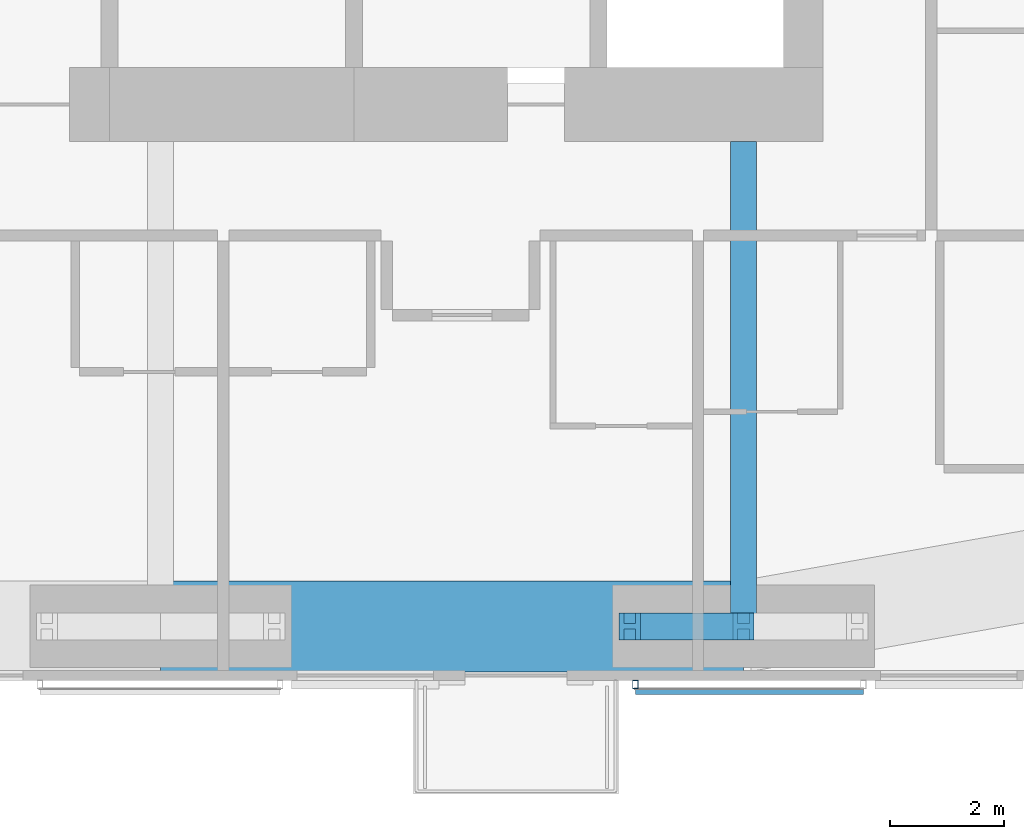
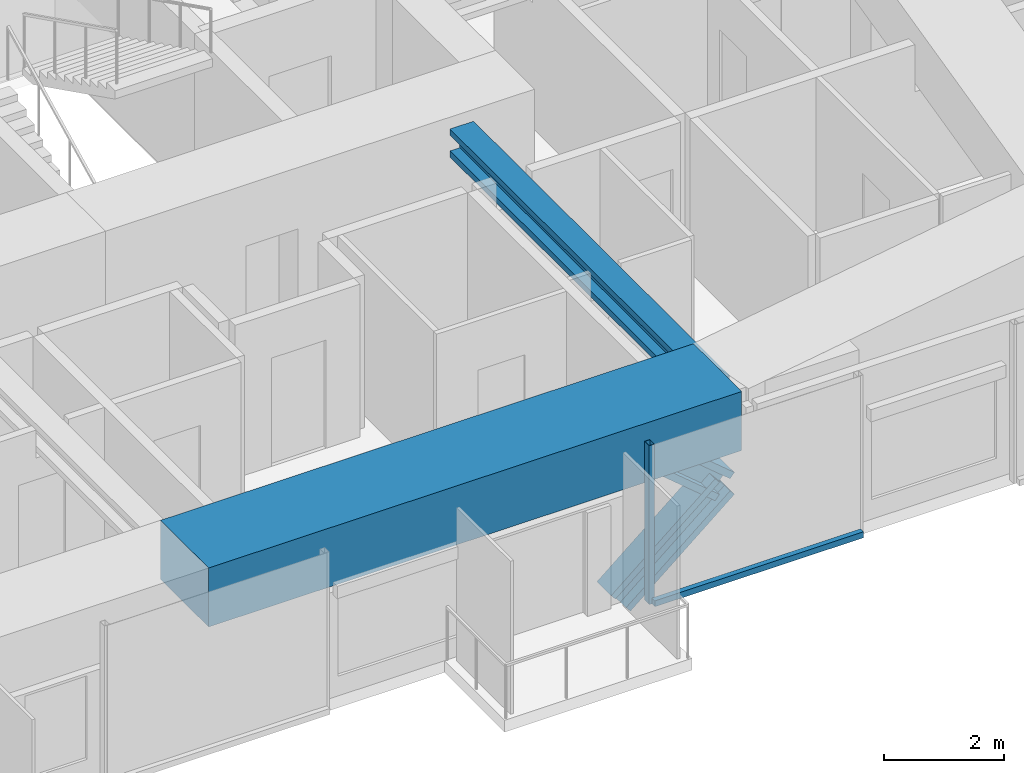
# One storey, part 4 of 23: 4 members, 2 beams, 1 element without a shape of its own.
"""IFC4 building model written with IfcOpenShell, lengths in metres."""

from ifc_helpers import new_model, si_unit, direction, frame, origin, origin_2d, place, context, subcontext, project, spatial, rectangle, hollow_rectangle, i_section, extrude, material, material_profile, profile_set, type_object, element, aggregate, save


model = new_model("IFC4")

# Units and contexts
model_context = context("Model", 3, precision=1e-05, world=origin(), true_north=direction((0.0, 1.0)))
body_context = subcontext(model_context, "Body", "Model", "MODEL_VIEW")
ifc_project = project(units=[si_unit("LENGTHUNIT", "METRE"), si_unit("AREAUNIT", "SQUARE_METRE"), si_unit("VOLUMEUNIT", "CUBIC_METRE"), si_unit("PLANEANGLEUNIT", "RADIAN"), si_unit("MASSUNIT", "GRAM", prefix="KILO")], contexts=[model_context])

# Site, building, storey
site_placement = place(None, origin())
site = spatial("IfcSite", under=ifc_project, at=site_placement, CompositionType="ELEMENT")
building_placement = place(site_placement, origin())
building = spatial("IfcBuilding", under=site, at=building_placement, Name="Jalousie Tower", CompositionType="ELEMENT")
storey_placement = place(building_placement, frame((0.0, 0.0, 171.10009765625)))
storey = spatial("IfcBuildingStorey", under=building, at=storey_placement, Name="L46", CompositionType="ELEMENT", Elevation=171.10009765625)

# Beam
ifc_material_1 = material(Name="Steel ASTM A992 Grade 50", Category="steel")
ifc_material_profile_1 = material_profile(ifc_material_1, i_section(OverallWidth=0.45458984375, OverallDepth=0.569091796875, WebThickness=0.077880859375, FlangeThickness=0.124755859375, at=origin_2d()), Name="W14X730")
ifc_profile_set_1 = profile_set([ifc_material_profile_1], Name="Steel ASTM A992 Grade 50")
beam_type_1 = type_object("IfcBeamType", Name="LEAN COLLECTOR W14X730", PredefinedType="BEAM", material=ifc_profile_set_1)
beam_1_placement = place(storey_placement, frame((42.75, 0.949951171875, 2.825439453125), z_axis=(0.0, 1.0, 0.0), x_axis=(-1.0, 0.0, 0.0)))
element("IfcBeam", 1, at=beam_1_placement, inside=storey, type_object=beam_type_1, Name="Lean collector under L47", PredefinedType="BEAM", context=body_context, shape_type="SweptSolid", body=[
    extrude(i_section(OverallWidth=0.45458984375, OverallDepth=0.569091796875, WebThickness=0.077880859375, FlangeThickness=0.124755859375, at=origin_2d()), origin(), (0.0, 0.0, 1.0), 8.525146484375),
])

# Members
ifc_material_2 = material(Name="Steel ASTM A992 Grade 50", Category="steel")
ifc_material_profile_2 = material_profile(ifc_material_2, i_section(OverallWidth=0.472412109375, OverallDepth=0.5791015625, WebThickness=0.094970703125, FlangeThickness=0.1298828125, at=origin_2d()), Name="W14X808")
ifc_profile_set_2 = profile_set([ifc_material_profile_2], Name="Steel ASTM A992 Grade 50")
member_type_1 = type_object("IfcMemberType", Name="PERIMETER BRACE W14X808", PredefinedType="BRACE", material=ifc_profile_set_2)
for number, where, z_axis, x_axis, name in (
    (2, (40.75, 0.949951171875, -0.60009765625), (0.766638753323, 0.0, 0.642078672674), (0.0, 1.0, 0.0), "Perimeter brace 04 L46 part 1"),
    (3, (42.75, 0.949951171875, 1.074951171875), (-0.766638753323, 0.0, 0.642078672674), (0.0, -1.0, 0.0), "Perimeter brace 04 L46 part 4"),
):
    element("IfcMember", number, at=place(storey_placement, frame(where, z_axis=z_axis, x_axis=x_axis)), inside=storey, type_object=member_type_1, Name=name, PredefinedType="BRACE", context=body_context, shape_type="SweptSolid", body=[
        extrude(i_section(OverallWidth=0.472412109375, OverallDepth=0.5791015625, WebThickness=0.094970703125, FlangeThickness=0.1298828125, at=origin_2d()), origin(), (0.0, 0.0, 1.0), 2.60888671875),
    ])

# Beam
ifc_material_3 = material(Name="Concrete f'c 40 MPa", Category="concrete")
ifc_material_profile_3 = material_profile(ifc_material_3, rectangle(XDim=1.60009765625, YDim=1.199951171875, at=origin_2d()), Name="RC 1600x1200")
ifc_profile_set_3 = profile_set([ifc_material_profile_3], Name="Concrete f'c 40 MPa")
beam_type_2 = type_object("IfcBeamType", Name="RC BEAM 1600x1200", PredefinedType="BEAM", material=ifc_profile_set_3)
beam_2_placement = place(storey_placement, frame((32.5, 0.949951171875, 2.75), z_axis=(1.0, 0.0, 0.0), x_axis=(0.0, 1.0, 0.0)))
element("IfcBeam", 4, at=beam_2_placement, inside=storey, type_object=beam_type_2, Name="Edge band beam 03-04 under L47", PredefinedType="BEAM", context=body_context, shape_type="SweptSolid", body=[
    extrude(rectangle(XDim=1.60009765625, YDim=1.199951171875, at=origin_2d()), origin(), (0.0, 0.0, 1.0), 10.25),
])

# Curtain wall, members
ifc_material_4 = material(Name="Perforated aluminium sheet", Category="aluminium")
curtain_wall_type = type_object("IfcCurtainWallType", Name="SOLAR SCREEN SS-1", PredefinedType="USERDEFINED", material=ifc_material_4)
curtain_wall_placement = place(storey_placement, origin())
curtain_wall = element("IfcCurtainWall", 5, at=curtain_wall_placement, inside=storey, type_object=curtain_wall_type, Name="Solar screen L46", ObjectType="SOLAR SCREEN SS-1", PredefinedType="USERDEFINED")
ifc_material_5 = material(Name="Steel ASTM A500 Grade C", Category="steel")
ifc_material_profile_4 = material_profile(ifc_material_5, hollow_rectangle(XDim=0.1015625, YDim=0.15234375, WallThickness=0.00634765625, at=origin_2d()), Name="HSS6X4X1/4")
ifc_profile_set_4 = profile_set([ifc_material_profile_4], Name="Steel ASTM A500 Grade C")
member_type_2 = type_object("IfcMemberType", Name="SOLAR SCREEN SS-1 MULLION", PredefinedType="MULLION", material=ifc_profile_set_4)
member_1_placement = place(storey_placement, frame((40.85009765625, -0.0712890625, -0.1201171875), z_axis=(0.0, 0.0, 1.0), x_axis=(1.0, 0.0, 0.0)))
member_1 = element("IfcMember", 6, at=member_1_placement, type_object=member_type_2, Name="SS1 post 1", PredefinedType="MULLION", context=body_context, shape_type="SweptSolid", body=[
    extrude(hollow_rectangle(XDim=0.1015625, YDim=0.15234375, WallThickness=0.00634765625, at=origin_2d()), origin(), (0.0, 0.0, 1.0), 3.22998046875),
])
ifc_material_6 = material(Name="Extruded aluminium screen rail", Category="aluminium")
ifc_material_profile_5 = material_profile(ifc_material_6, rectangle(XDim=0.1015625, YDim=0.1201171875, at=origin_2d()), Name="RAIL 102x120")
ifc_profile_set_5 = profile_set([ifc_material_profile_5], Name="Extruded aluminium screen rail")
member_type_3 = type_object("IfcMemberType", Name="SOLAR SCREEN SS-1 TRANSOM", PredefinedType="USERDEFINED", material=ifc_profile_set_5)
member_2_placement = place(storey_placement, frame((40.85009765625, -0.1982421875, -0.06005859375), z_axis=(1.0, 0.0, 0.0), x_axis=(0.0, 1.0, 0.0)))
member_2 = element("IfcMember", 7, at=member_2_placement, type_object=member_type_3, Name="SS1 rail", ObjectType="TRANSOM", PredefinedType="USERDEFINED", context=body_context, shape_type="SweptSolid", body=[
    extrude(rectangle(XDim=0.1015625, YDim=0.1201171875, at=origin_2d()), origin(), (0.0, 0.0, 1.0), 4.00927734375),
])
aggregate(curtain_wall, [member_1, member_2])

save(model, "model.ifc")
